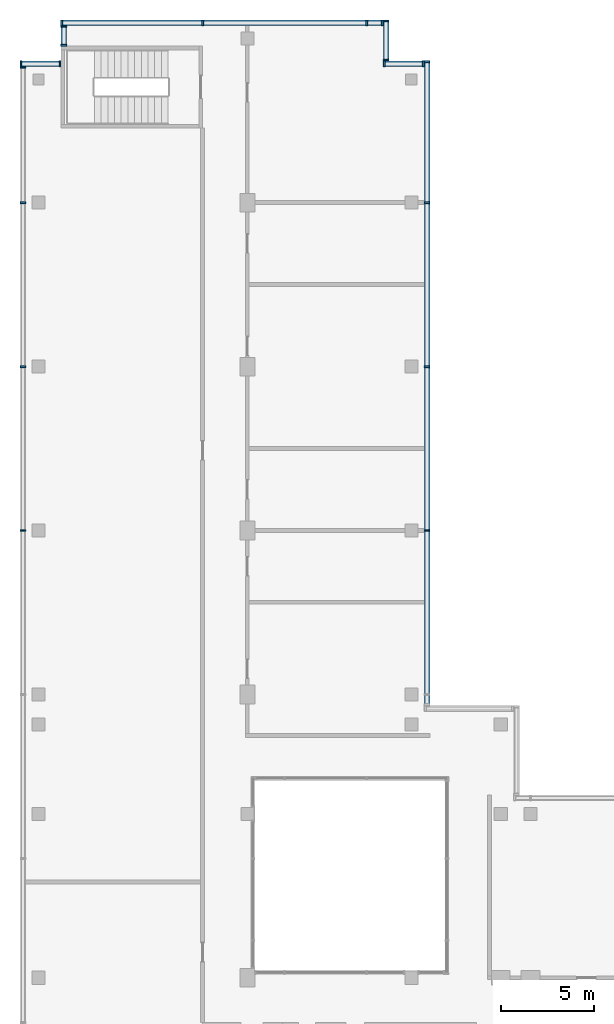
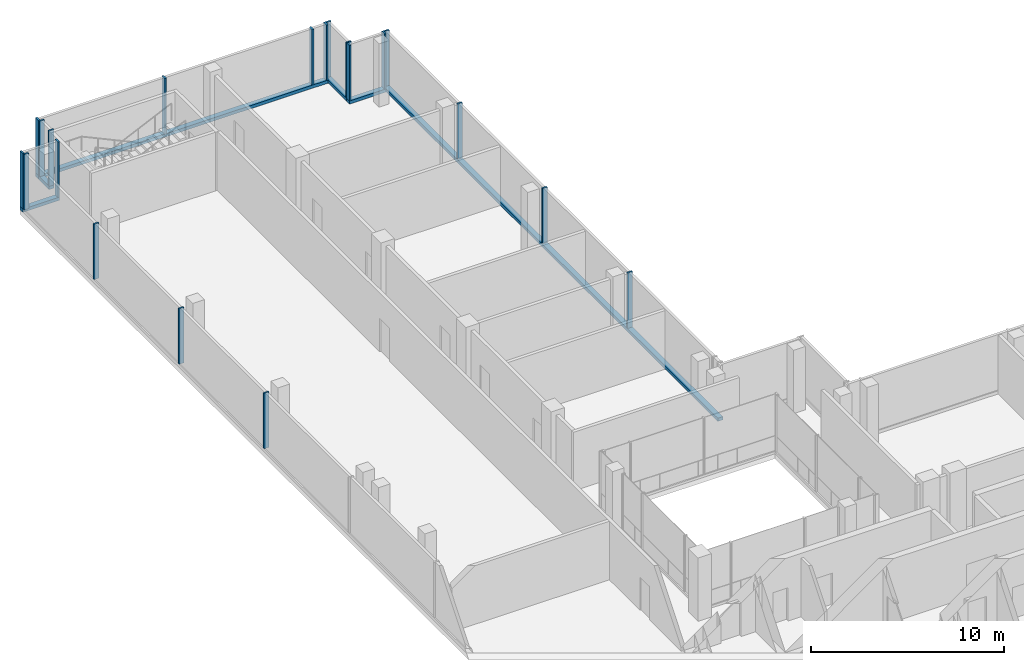
# One storey, part 6 of 11: 26 members, 7 elements without a shape of their own.
"""IFC4 building model written with IfcOpenShell, lengths in metres."""

from ifc_helpers import new_model, si_unit, direction, frame, origin, origin_2d, place, context, subcontext, project, spatial, rectangle, extrude, source, transform, mapped, material, material_profile, profile_set, type_object, element, aggregate, save


model = new_model("IFC4")

# Units and contexts
model_context = context("Model", 3, precision=1e-05, world=origin(), true_north=direction((0.0, 1.0)))
body_context = subcontext(model_context, "Body", "Model", "MODEL_VIEW")
ifc_project = project(units=[si_unit("LENGTHUNIT", "METRE"), si_unit("AREAUNIT", "SQUARE_METRE"), si_unit("VOLUMEUNIT", "CUBIC_METRE"), si_unit("PLANEANGLEUNIT", "RADIAN"), si_unit("MASSUNIT", "GRAM", prefix="KILO")], contexts=[model_context])

# Site, building, storey
site_placement = place(None, origin())
site = spatial("IfcSite", under=ifc_project, at=site_placement, CompositionType="ELEMENT")
building_placement = place(site_placement, origin())
building = spatial("IfcBuilding", under=site, at=building_placement, Name="Kemantara Hotel Tower", CompositionType="ELEMENT")
storey_placement = place(building_placement, frame((0.0, 0.0, 326.199951171875)))
storey = spatial("IfcBuildingStorey", under=building, at=storey_placement, Name="L82", CompositionType="ELEMENT", Elevation=326.199951171875)

# Curtain wall, member
ifc_material = material(Name="Aluminium 6063-T6 bronze anodised", Category="aluminium")
curtain_wall_type = type_object("IfcCurtainWallType", Name="CROWN LOUVRE SCREEN WALL", PredefinedType="USERDEFINED", material=ifc_material)
curtain_wall_1_placement = place(storey_placement, origin())
curtain_wall_1 = element("IfcCurtainWall", 1, at=curtain_wall_1_placement, inside=storey, type_object=curtain_wall_type, Name="CW7 L82 CRN-R02-1", ObjectType="CROWN LOUVRE SCREEN WALL", PredefinedType="USERDEFINED")
ifc_material_profile_1 = material_profile(ifc_material, rectangle(XDim=0.300048828125, YDim=0.199951171875, at=origin_2d()), Name="CROWN LOUVRE SCREEN WALL TRANSOM")
ifc_profile_set_1 = profile_set([ifc_material_profile_1], Name="Aluminium 6063-T6 bronze anodised")
member_type_1 = type_object("IfcMemberType", Name="CROWN LOUVRE SCREEN WALL TRANSOM", PredefinedType="USERDEFINED", material=ifc_profile_set_1)
member_1_placement = place(storey_placement, frame((19.5, 63.449951171875, 0.10009765625), z_axis=(-1.0, 0.0, 0.0), x_axis=(0.0, -1.0, 0.0)))
member_1 = element("IfcMember", 2, at=member_1_placement, type_object=member_type_1, Name="CW7 sill transom CRN-R02-1", ObjectType="TRANSOM", PredefinedType="USERDEFINED", context=body_context, shape_type="SweptSolid", body=[
    extrude(rectangle(XDim=0.300048828125, YDim=0.199951171875, at=origin_2d()), origin(), (0.0, 0.0, 1.0), 17.300048828125),
])

curtain_wall_2_placement = place(storey_placement, origin())
curtain_wall_2 = element("IfcCurtainWall", 3, at=curtain_wall_2_placement, inside=storey, type_object=curtain_wall_type, Name="CW7 L82 CRN-R15-1", ObjectType="CROWN LOUVRE SCREEN WALL", PredefinedType="USERDEFINED")
member_2_placement = place(storey_placement, frame((21.85009765625, 26.800048828125, 0.10009765625), z_axis=(0.0, 1.0, 0.0), x_axis=(-1.0, 0.0, 0.0)))
member_2 = element("IfcMember", 4, at=member_2_placement, type_object=member_type_1, Name="CW7 sill transom CRN-R15-1", ObjectType="TRANSOM", PredefinedType="USERDEFINED", context=body_context, shape_type="SweptSolid", body=[
    extrude(rectangle(XDim=0.300048828125, YDim=0.199951171875, at=origin_2d()), origin(), (0.0, 0.0, 1.0), 34.599853515625),
])

curtain_wall_3_placement = place(storey_placement, origin())
curtain_wall_3 = element("IfcCurtainWall", 5, at=curtain_wall_3_placement, inside=storey, type_object=curtain_wall_type, Name="CW7 L82 CRN-R00-1", ObjectType="CROWN LOUVRE SCREEN WALL", PredefinedType="USERDEFINED")
member_3_placement = place(storey_placement, frame((21.699951171875, 61.25, 0.10009765625), z_axis=(-1.0, 0.0, 0.0), x_axis=(0.0, -1.0, 0.0)))
member_3 = element("IfcMember", 6, at=member_3_placement, type_object=member_type_1, Name="CW7 sill transom CRN-R00-1", ObjectType="TRANSOM", PredefinedType="USERDEFINED", context=body_context, shape_type="SweptSolid", body=[
    extrude(rectangle(XDim=0.300048828125, YDim=0.199951171875, at=origin_2d()), origin(), (0.0, 0.0, 1.0), 2.199951171875),
])

curtain_wall_4_placement = place(storey_placement, origin())
curtain_wall_4 = element("IfcCurtainWall", 7, at=curtain_wall_4_placement, inside=storey, type_object=curtain_wall_type, Name="CW7 L82 CRN-R01-1", ObjectType="CROWN LOUVRE SCREEN WALL", PredefinedType="USERDEFINED")
member_4_placement = place(storey_placement, frame((19.64990234375, 61.39990234375, 0.10009765625), z_axis=(0.0, 1.0, 0.0), x_axis=(-1.0, 0.0, 0.0)))
member_4 = element("IfcMember", 8, at=member_4_placement, type_object=member_type_1, Name="CW7 sill transom CRN-R01-1", ObjectType="TRANSOM", PredefinedType="USERDEFINED", context=body_context, shape_type="SweptSolid", body=[
    extrude(rectangle(XDim=0.300048828125, YDim=0.199951171875, at=origin_2d()), origin(), (0.0, 0.0, 1.0), 2.2001953125),
])

curtain_wall_5_placement = place(storey_placement, origin())
curtain_wall_5 = element("IfcCurtainWall", 9, at=curtain_wall_5_placement, inside=storey, type_object=curtain_wall_type, Name="CW7 L82 CRN-R03-1", ObjectType="CROWN LOUVRE SCREEN WALL", PredefinedType="USERDEFINED")
member_5_placement = place(storey_placement, frame((2.35009765625, 63.300048828125, 0.10009765625), z_axis=(0.0, -1.0, 0.0), x_axis=(1.0, 0.0, 0.0)))
member_5 = element("IfcMember", 10, at=member_5_placement, type_object=member_type_1, Name="CW7 sill transom CRN-R03-1", ObjectType="TRANSOM", PredefinedType="USERDEFINED", context=body_context, shape_type="SweptSolid", body=[
    extrude(rectangle(XDim=0.300048828125, YDim=0.199951171875, at=origin_2d()), origin(), (0.0, 0.0, 1.0), 1.10009765625),
])

curtain_wall_6_placement = place(storey_placement, origin())
curtain_wall_6 = element("IfcCurtainWall", 11, at=curtain_wall_6_placement, inside=storey, type_object=curtain_wall_type, Name="CW7 L82 CRN-R04-1", ObjectType="CROWN LOUVRE SCREEN WALL", PredefinedType="USERDEFINED")
member_6_placement = place(storey_placement, frame((2.199951171875, 61.25, 0.10009765625), z_axis=(-1.0, 0.0, 0.0), x_axis=(0.0, -1.0, 0.0)))
member_6 = element("IfcMember", 12, at=member_6_placement, type_object=member_type_1, Name="CW7 sill transom CRN-R04-1", ObjectType="TRANSOM", PredefinedType="USERDEFINED", context=body_context, shape_type="SweptSolid", body=[
    extrude(rectangle(XDim=0.300048828125, YDim=0.199951171875, at=origin_2d()), origin(), (0.0, 0.0, 1.0), 2.199951171875),
])

# Member
ifc_material_profile_2 = material_profile(ifc_material, rectangle(XDim=0.300048828125, YDim=0.10009765625, at=origin_2d()), Name="CROWN LOUVRE SCREEN WALL MULLION")
ifc_profile_set_2 = profile_set([ifc_material_profile_2], Name="Aluminium 6063-T6 bronze anodised")
member_type_2 = type_object("IfcMemberType", Name="CROWN LOUVRE SCREEN WALL MULLION", PredefinedType="MULLION", material=ifc_profile_set_2)
shared_shape = source(origin(), body_context, "Body", "SweptSolid", [
    extrude(rectangle(XDim=0.300048828125, YDim=0.10009765625, at=origin_2d()), origin(), (0.0, 0.0, 1.0), 3.5),
])
member_7_placement = place(storey_placement, frame((19.449951171875, 63.449951171875, 0.199951171875), z_axis=(0.0, 0.0, 1.0), x_axis=(0.0, -1.0, 0.0)))
member_7 = element("IfcMember", 13, at=member_7_placement, type_object=member_type_2, Name="CW7 mullion CRN-R02-1.1", PredefinedType="MULLION", context=body_context, shape_type="MappedRepresentation", body=[
    mapped(shared_shape, transform((0.0, 0.0, 0.0))),
])

member_8_placement = place(storey_placement, frame((18.60009765625, 63.449951171875, 0.199951171875), z_axis=(0.0, 0.0, 1.0), x_axis=(0.0, -1.0, 0.0)))
member_8 = element("IfcMember", 14, at=member_8_placement, type_object=member_type_2, Name="CW7 mullion CRN-R02-1.2", PredefinedType="MULLION", context=body_context, shape_type="MappedRepresentation", body=[
    mapped(shared_shape, transform((0.0, 0.0, 0.0))),
])

member_9_placement = place(storey_placement, frame((9.800048828125, 63.449951171875, 0.199951171875), z_axis=(0.0, 0.0, 1.0), x_axis=(0.0, -1.0, 0.0)))
member_9 = element("IfcMember", 15, at=member_9_placement, type_object=member_type_2, Name="CW7 mullion CRN-R02-1.3", PredefinedType="MULLION", context=body_context, shape_type="MappedRepresentation", body=[
    mapped(shared_shape, transform((0.0, 0.0, 0.0))),
])

member_10_placement = place(storey_placement, frame((2.25, 63.449951171875, 0.199951171875), z_axis=(0.0, 0.0, 1.0), x_axis=(0.0, -1.0, 0.0)))
member_10 = element("IfcMember", 16, at=member_10_placement, type_object=member_type_2, Name="CW7 mullion CRN-R02-1.4", PredefinedType="MULLION", context=body_context, shape_type="MappedRepresentation", body=[
    mapped(shared_shape, transform((0.0, 0.0, 0.0))),
])

aggregate(curtain_wall_1, [member_1, member_7, member_8, member_9, member_10])

# Curtain wall, members
curtain_wall_7_placement = place(storey_placement, origin())
curtain_wall_7 = element("IfcCurtainWall", 17, at=curtain_wall_7_placement, inside=storey, type_object=curtain_wall_type, Name="CW7 L82 CRN-R05-1", ObjectType="CROWN LOUVRE SCREEN WALL", PredefinedType="USERDEFINED")
member_11_placement = place(storey_placement, frame((0.14990234375, 61.050048828125, 0.199951171875), z_axis=(0.0, 0.0, 1.0), x_axis=(1.0, 0.0, 0.0)))
member_11 = element("IfcMember", 18, at=member_11_placement, type_object=member_type_2, Name="CW7 mullion CRN-R05-1.1", PredefinedType="MULLION", context=body_context, shape_type="MappedRepresentation", body=[
    mapped(shared_shape, transform((0.0, 0.0, 0.0))),
])
member_12_placement = place(storey_placement, frame((0.14990234375, 53.800048828125, 0.199951171875), z_axis=(0.0, 0.0, 1.0), x_axis=(1.0, 0.0, 0.0)))
member_12 = element("IfcMember", 19, at=member_12_placement, type_object=member_type_2, Name="CW7 mullion CRN-R05-1.2", PredefinedType="MULLION", context=body_context, shape_type="MappedRepresentation", body=[
    mapped(shared_shape, transform((0.0, 0.0, 0.0))),
])
member_13_placement = place(storey_placement, frame((0.14990234375, 45.0, 0.199951171875), z_axis=(0.0, 0.0, 1.0), x_axis=(1.0, 0.0, 0.0)))
member_13 = element("IfcMember", 20, at=member_13_placement, type_object=member_type_2, Name="CW7 mullion CRN-R05-1.3", PredefinedType="MULLION", context=body_context, shape_type="MappedRepresentation", body=[
    mapped(shared_shape, transform((0.0, 0.0, 0.0))),
])
member_14_placement = place(storey_placement, frame((0.14990234375, 36.199951171875, 0.199951171875), z_axis=(0.0, 0.0, 1.0), x_axis=(1.0, 0.0, 0.0)))
member_14 = element("IfcMember", 21, at=member_14_placement, type_object=member_type_2, Name="CW7 mullion CRN-R05-1.4", PredefinedType="MULLION", context=body_context, shape_type="MappedRepresentation", body=[
    mapped(shared_shape, transform((0.0, 0.0, 0.0))),
])
aggregate(curtain_wall_7, [member_11, member_12, member_13, member_14])

# Member
member_15_placement = place(storey_placement, frame((21.85009765625, 36.199951171875, 0.199951171875), z_axis=(0.0, 0.0, 1.0), x_axis=(-1.0, 0.0, 0.0)))
member_15 = element("IfcMember", 22, at=member_15_placement, type_object=member_type_2, Name="CW7 mullion CRN-R15-1.3", PredefinedType="MULLION", context=body_context, shape_type="MappedRepresentation", body=[
    mapped(shared_shape, transform((0.0, 0.0, 0.0))),
])

member_16_placement = place(storey_placement, frame((21.85009765625, 45.0, 0.199951171875), z_axis=(0.0, 0.0, 1.0), x_axis=(-1.0, 0.0, 0.0)))
member_16 = element("IfcMember", 23, at=member_16_placement, type_object=member_type_2, Name="CW7 mullion CRN-R15-1.4", PredefinedType="MULLION", context=body_context, shape_type="MappedRepresentation", body=[
    mapped(shared_shape, transform((0.0, 0.0, 0.0))),
])

member_17_placement = place(storey_placement, frame((21.85009765625, 53.800048828125, 0.199951171875), z_axis=(0.0, 0.0, 1.0), x_axis=(-1.0, 0.0, 0.0)))
member_17 = element("IfcMember", 24, at=member_17_placement, type_object=member_type_2, Name="CW7 mullion CRN-R15-1.5", PredefinedType="MULLION", context=body_context, shape_type="MappedRepresentation", body=[
    mapped(shared_shape, transform((0.0, 0.0, 0.0))),
])

member_18_placement = place(storey_placement, frame((21.85009765625, 61.35009765625, 0.199951171875), z_axis=(0.0, 0.0, 1.0), x_axis=(-1.0, 0.0, 0.0)))
member_18 = element("IfcMember", 25, at=member_18_placement, type_object=member_type_2, Name="CW7 mullion CRN-R15-1.6", PredefinedType="MULLION", context=body_context, shape_type="MappedRepresentation", body=[
    mapped(shared_shape, transform((0.0, 0.0, 0.0))),
])

aggregate(curtain_wall_2, [member_2, member_15, member_16, member_17, member_18])

member_19_placement = place(storey_placement, frame((21.64990234375, 61.25, 0.199951171875), z_axis=(0.0, 0.0, 1.0), x_axis=(0.0, -1.0, 0.0)))
member_19 = element("IfcMember", 26, at=member_19_placement, type_object=member_type_2, Name="CW7 mullion CRN-R00-1.1", PredefinedType="MULLION", context=body_context, shape_type="MappedRepresentation", body=[
    mapped(shared_shape, transform((0.0, 0.0, 0.0))),
])

member_20_placement = place(storey_placement, frame((19.550048828125, 61.25, 0.199951171875), z_axis=(0.0, 0.0, 1.0), x_axis=(0.0, -1.0, 0.0)))
member_20 = element("IfcMember", 27, at=member_20_placement, type_object=member_type_2, Name="CW7 mullion CRN-R00-1.2", PredefinedType="MULLION", context=body_context, shape_type="MappedRepresentation", body=[
    mapped(shared_shape, transform((0.0, 0.0, 0.0))),
])

aggregate(curtain_wall_3, [member_3, member_19, member_20])

member_21_placement = place(storey_placement, frame((19.64990234375, 61.449951171875, 0.199951171875), z_axis=(0.0, 0.0, 1.0), x_axis=(-1.0, 0.0, 0.0)))
member_21 = element("IfcMember", 28, at=member_21_placement, type_object=member_type_2, Name="CW7 mullion CRN-R01-1.1", PredefinedType="MULLION", context=body_context, shape_type="MappedRepresentation", body=[
    mapped(shared_shape, transform((0.0, 0.0, 0.0))),
])

member_22_placement = place(storey_placement, frame((19.64990234375, 63.550048828125, 0.199951171875), z_axis=(0.0, 0.0, 1.0), x_axis=(-1.0, 0.0, 0.0)))
member_22 = element("IfcMember", 29, at=member_22_placement, type_object=member_type_2, Name="CW7 mullion CRN-R01-1.2", PredefinedType="MULLION", context=body_context, shape_type="MappedRepresentation", body=[
    mapped(shared_shape, transform((0.0, 0.0, 0.0))),
])

aggregate(curtain_wall_4, [member_4, member_21, member_22])

member_23_placement = place(storey_placement, frame((2.35009765625, 63.25, 0.199951171875), z_axis=(0.0, 0.0, 1.0), x_axis=(1.0, 0.0, 0.0)))
member_23 = element("IfcMember", 30, at=member_23_placement, type_object=member_type_2, Name="CW7 mullion CRN-R03-1.1", PredefinedType="MULLION", context=body_context, shape_type="MappedRepresentation", body=[
    mapped(shared_shape, transform((0.0, 0.0, 0.0))),
])

member_24_placement = place(storey_placement, frame((2.35009765625, 62.25, 0.199951171875), z_axis=(0.0, 0.0, 1.0), x_axis=(1.0, 0.0, 0.0)))
member_24 = element("IfcMember", 31, at=member_24_placement, type_object=member_type_2, Name="CW7 mullion CRN-R03-1.2", PredefinedType="MULLION", context=body_context, shape_type="MappedRepresentation", body=[
    mapped(shared_shape, transform((0.0, 0.0, 0.0))),
])

aggregate(curtain_wall_5, [member_5, member_23, member_24])

member_25_placement = place(storey_placement, frame((2.14990234375, 61.25, 0.199951171875), z_axis=(0.0, 0.0, 1.0), x_axis=(0.0, -1.0, 0.0)))
member_25 = element("IfcMember", 32, at=member_25_placement, type_object=member_type_2, Name="CW7 mullion CRN-R04-1.1", PredefinedType="MULLION", context=body_context, shape_type="MappedRepresentation", body=[
    mapped(shared_shape, transform((0.0, 0.0, 0.0))),
])

member_26_placement = place(storey_placement, frame((0.050048828125, 61.25, 0.199951171875), z_axis=(0.0, 0.0, 1.0), x_axis=(0.0, -1.0, 0.0)))
member_26 = element("IfcMember", 33, at=member_26_placement, type_object=member_type_2, Name="CW7 mullion CRN-R04-1.2", PredefinedType="MULLION", context=body_context, shape_type="MappedRepresentation", body=[
    mapped(shared_shape, transform((0.0, 0.0, 0.0))),
])

aggregate(curtain_wall_6, [member_6, member_25, member_26])

save(model, "model.ifc")
